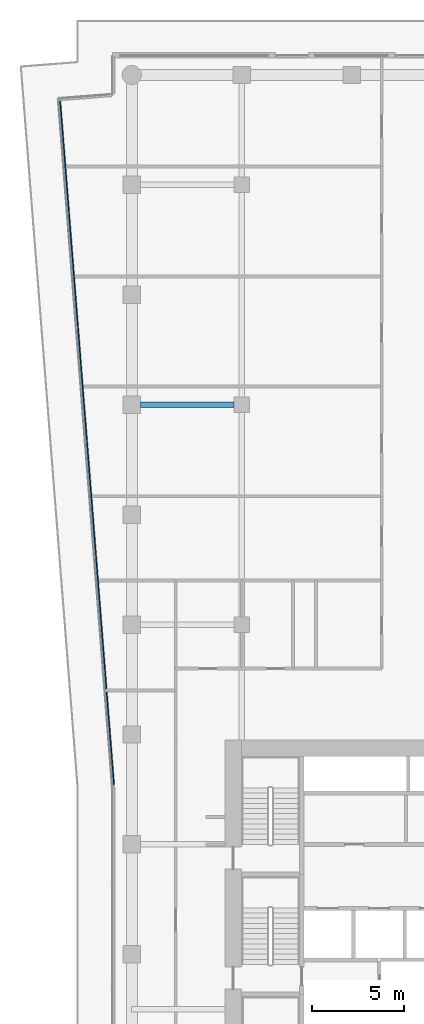
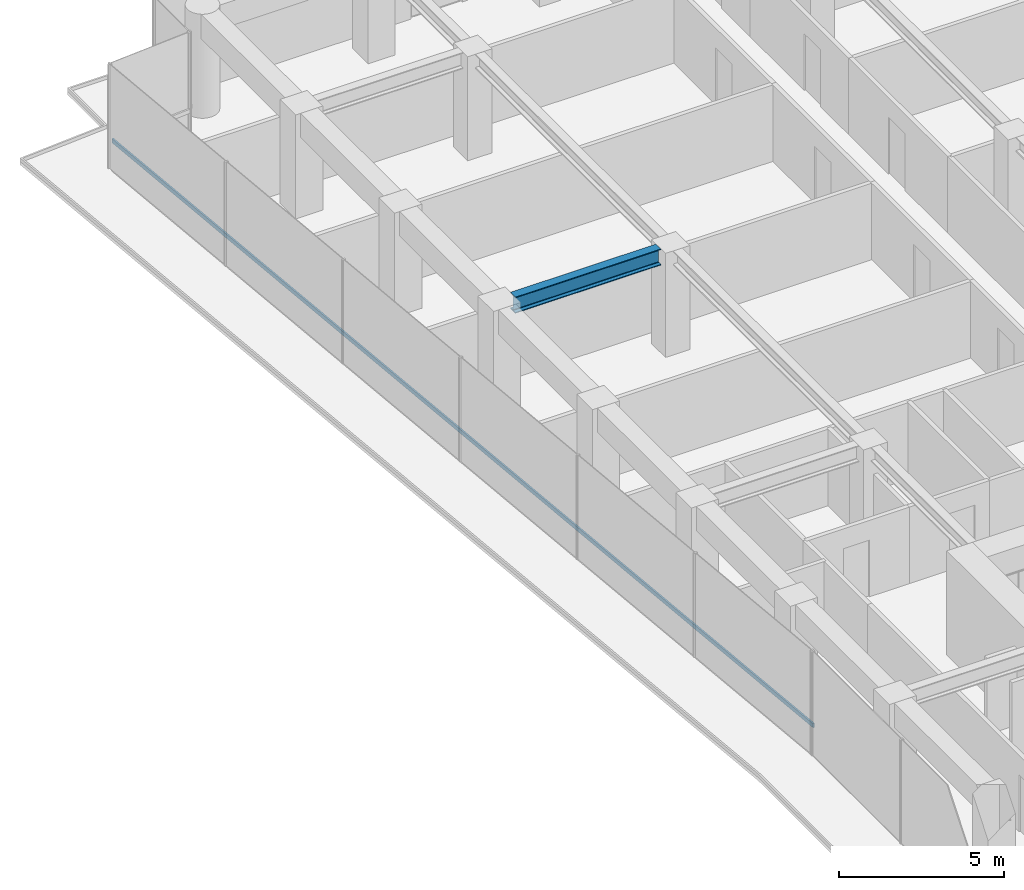
# One storey, part 15 of 28: 1 beam, 1 member, 1 element without a shape of its own.
"""IFC4 building model written with IfcOpenShell, lengths in metres."""

from ifc_helpers import new_model, si_unit, direction, frame, origin, origin_2d, place, context, subcontext, project, spatial, rectangle, i_section, extrude, material, layer, layer_set, material_profile, profile_set, type_object, element, aggregate, save


model = new_model("IFC4")

# Units and contexts
model_context = context("Model", 3, precision=1e-05, world=origin(), true_north=direction((0.0, 1.0)))
body_context = subcontext(model_context, "Body", "Model", "MODEL_VIEW")
ifc_project = project(units=[si_unit("LENGTHUNIT", "METRE"), si_unit("AREAUNIT", "SQUARE_METRE"), si_unit("VOLUMEUNIT", "CUBIC_METRE"), si_unit("PLANEANGLEUNIT", "RADIAN"), si_unit("MASSUNIT", "GRAM", prefix="KILO")], contexts=[model_context])

# Site, building, storey
site_placement = place(None, origin())
site = spatial("IfcSite", under=ifc_project, at=site_placement, CompositionType="ELEMENT")
building_placement = place(site_placement, origin())
building = spatial("IfcBuilding", under=site, at=building_placement, Name="Welwitschia Terrace Campus", CompositionType="ELEMENT")
storey_placement = place(building_placement, frame((0.0, 0.0, 71.0)))
storey = spatial("IfcBuildingStorey", under=building, at=storey_placement, Name="L16", CompositionType="ELEMENT", Elevation=71.0)

# Beam
ifc_material_1 = material(Name="Steel S355", Category="steel")
ifc_material_profile_1 = material_profile(ifc_material_1, i_section(OverallWidth=0.300048828125, OverallDepth=0.60009765625, WebThickness=0.015380859375, FlangeThickness=0.030029296875, FilletRadius=0.027099609375, at=origin_2d()))
ifc_profile_set_1 = profile_set([ifc_material_profile_1], Name="Steel S355")
beam_type = type_object("IfcBeamType", Name="Primary beam HE 600 B", PredefinedType="BEAM", material=ifc_profile_set_1)
beam_placement = place(storey_placement, frame((0.4755859375, 44.0, 3.550048828125), z_axis=(1.0, 0.0, 0.0), x_axis=(0.0, 1.0, 0.0)))
element("IfcBeam", 1, at=beam_placement, inside=storey, type_object=beam_type, Name="Primary beam PB2", PredefinedType="BEAM", context=body_context, shape_type="SweptSolid", body=[
    extrude(i_section(OverallWidth=0.300048828125, OverallDepth=0.60009765625, WebThickness=0.015380859375, FlangeThickness=0.030029296875, FilletRadius=0.027099609375, at=origin_2d()), origin(), (0.0, 0.0, 1.0), 5.098876953125),
])

# Curtain wall, member
ifc_material_2 = material(Name="Bronze anodised aluminium", Category="aluminium")
ifc_layer = layer(ifc_material_2, 0.1201171875)
ifc_layer_set = layer_set([ifc_layer], Name="Bronze anodised aluminium")
curtain_wall_type = type_object("IfcCurtainWallType", Name="Curtain wall CW2 tower 6000", PredefinedType="NOTDEFINED", material=ifc_layer_set)
curtain_wall_placement = place(storey_placement, origin())
curtain_wall = element("IfcCurtainWall", 2, at=curtain_wall_placement, inside=storey, type_object=curtain_wall_type, Name="CW L16.18.0", PredefinedType="NOTDEFINED")
ifc_material_3 = material(Name="Bronze anodised aluminium", Category="aluminium")
ifc_material_profile_2 = material_profile(ifc_material_3, rectangle(XDim=0.06005859375, YDim=0.14990234375, at=origin_2d()))
ifc_profile_set_2 = profile_set([ifc_material_profile_2], Name="Bronze anodised aluminium")
member_type = type_object("IfcMemberType", Name="Transom 60x150", PredefinedType="USERDEFINED", material=ifc_profile_set_2)
member_placement = place(storey_placement, frame((-3.91845703125, 60.663330078125, 1.0), z_axis=(0.078464365759, -0.996916918959, 0.0), x_axis=(0.996916918959, 0.078464365759, 0.0)))
member = element("IfcMember", 3, at=member_placement, type_object=member_type, Name="Transom L16.18.0", ObjectType="TRANSOM", PredefinedType="USERDEFINED", context=body_context, shape_type="SweptSolid", body=[
    extrude(rectangle(XDim=0.06005859375, YDim=0.14990234375, at=origin_2d()), origin(), (0.0, 0.0, 1.0), 37.5400390625),
])
aggregate(curtain_wall, [member])

save(model, "model.ifc")
